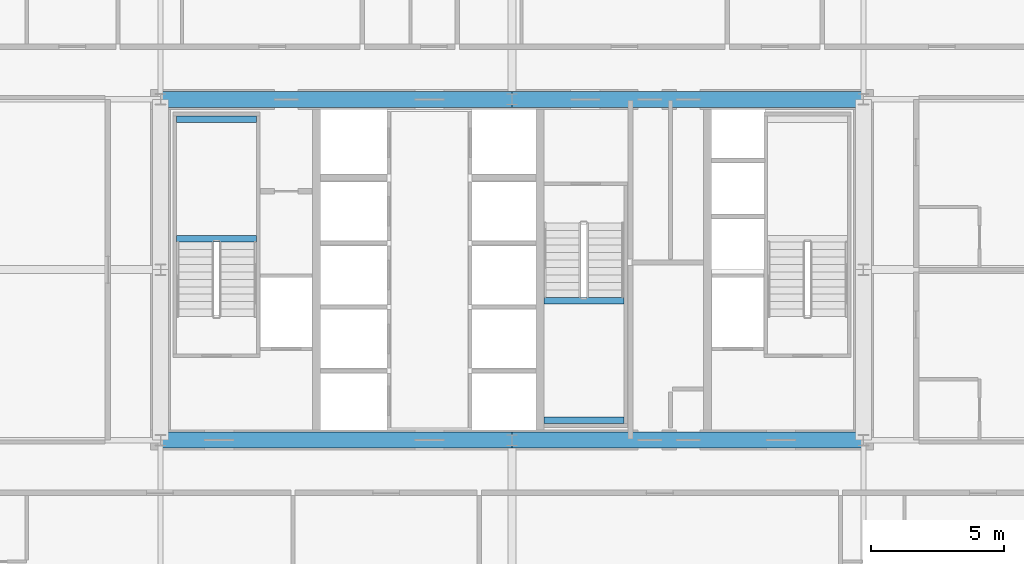
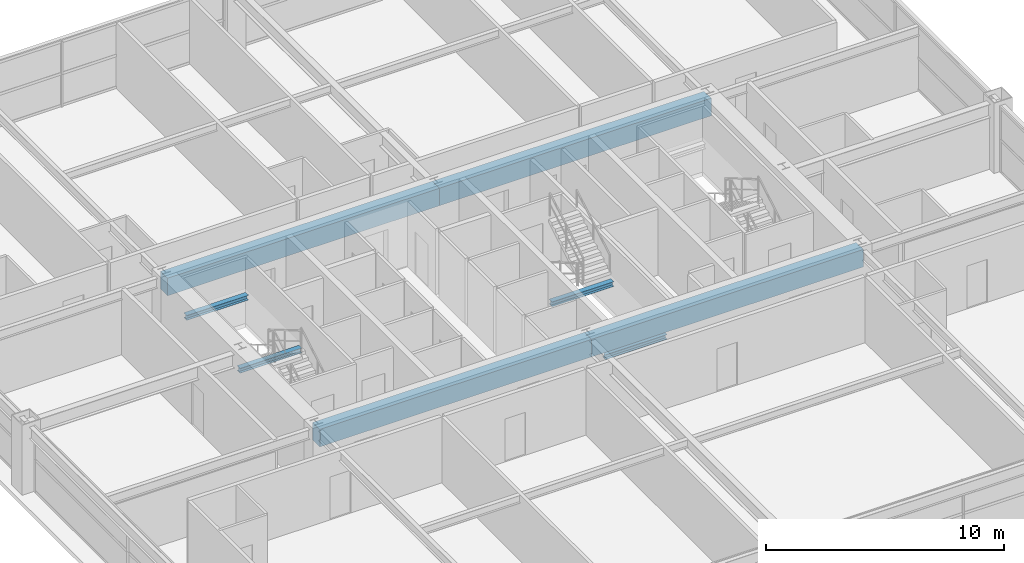
# One storey, part 12 of 38: 8 beams.
"""IFC4 building model written with IfcOpenShell, lengths in metres."""

import ifcopenshell
import ifcopenshell.guid

model = None  # the IFC model being written
_history = None  # IfcOwnerHistory: only IFC2X3 demands one
_inside = {}  # id of a spatial element -> (the spatial element, [elements in it])
_under = {}  # id of a project, library or spatial element -> (it, [spatial elements below it])
_declared = {}  # id of a project -> (the project, [libraries it declares])
_typed = {}  # id of a type object -> (the type object, [elements of that type])
_made_of = {}  # id of a material, layer set ... -> (it, [elements and type objects made of it])


def new_model(schema):
    """Start an empty IFC model of exactly this schema.

    Asked for "IFC4X3", IfcOpenShell would pick the latest addendum, in which some entities
    have other attributes; the version numbers below select the first issue.
    IFC2X3 requires an IfcOwnerHistory on every rooted entity: one is made here for all.
    """
    global model, _history
    if schema == "IFC4X3":
        model = ifcopenshell.file(schema_version=(4, 3, 0, 0))
    else:
        model = ifcopenshell.file(schema=schema)
    _inside.clear()
    _under.clear()
    _declared.clear()
    _typed.clear()
    _made_of.clear()
    _history = None
    if model.schema == "IFC2X3":
        org = make("IfcOrganization", Name="unknown")
        user = make(
            "IfcPersonAndOrganization",
            ThePerson=make("IfcPerson", FamilyName="unknown"),
            TheOrganization=org,
        )
        app = make(
            "IfcApplication",
            ApplicationDeveloper=org,
            Version="unknown",
            ApplicationFullName="unknown",
            ApplicationIdentifier="unknown",
        )
        _history = make(
            "IfcOwnerHistory",
            OwningUser=user,
            OwningApplication=app,
            ChangeAction="ADDED",
            CreationDate=0,
        )
    return model


def make(cls, **values):
    """One entity of the class cls with the attributes given. An attribute that is None is left unset."""
    return model.create_entity(
        cls, **{name: value for name, value in values.items() if value is not None}
    )


def rooted(cls, **values):
    """An entity with a GlobalId (a new one), such as an element, a storey or a relation."""
    return make(cls, GlobalId=ifcopenshell.guid.new(), OwnerHistory=_history, **values)


def si_unit(unit_type, name, prefix=None):
    """IfcSIUnit, for example si_unit("LENGTHUNIT", "METRE", prefix="MILLI")."""
    return make("IfcSIUnit", UnitType=unit_type, Prefix=prefix, Name=name)


def assignment(units):
    """IfcUnitAssignment: the units of a project."""
    return None if units is None else make("IfcUnitAssignment", Units=units)


def point(xyz):
    """IfcCartesianPoint."""
    return None if xyz is None else make("IfcCartesianPoint", Coordinates=xyz)


def direction(xyz):
    """IfcDirection."""
    return None if xyz is None else make("IfcDirection", DirectionRatios=xyz)


def frame(location, z_axis=None, x_axis=None):
    """IfcAxis2Placement3D, a coordinate frame: its origin and axes. An axis left out is left unset."""
    return make(
        "IfcAxis2Placement3D",
        Location=point(location),
        Axis=direction(z_axis),
        RefDirection=direction(x_axis),
    )


def frame_2d(location, x_axis=None):
    """IfcAxis2Placement2D, a coordinate frame in the plane: its origin and x axis."""
    return make(
        "IfcAxis2Placement2D", Location=point(location), RefDirection=direction(x_axis)
    )


def origin():
    """The frame at (0, 0, 0) with its axes left unset."""
    return frame((0.0, 0.0, 0.0))


def origin_2d():
    """The frame at (0, 0) in the plane with its x axis left unset."""
    return frame_2d((0.0, 0.0))


def place(relative_to, where):
    """IfcLocalPlacement: puts the frame where relative to a parent placement (None: the world)."""
    return make(
        "IfcLocalPlacement", PlacementRelTo=relative_to, RelativePlacement=where
    )


def context(
    kind, dimensions, precision=None, world=None, true_north=None, identifier=None
):
    """IfcGeometricRepresentationContext, for example the 3D "Model" context."""
    return make(
        "IfcGeometricRepresentationContext",
        ContextIdentifier=identifier,
        ContextType=kind,
        CoordinateSpaceDimension=dimensions,
        Precision=precision,
        WorldCoordinateSystem=world,
        TrueNorth=true_north,
    )


def subcontext(parent, identifier, kind, view, scale=None):
    """IfcGeometricRepresentationSubContext, for example "Body" below "Model"."""
    return make(
        "IfcGeometricRepresentationSubContext",
        ContextIdentifier=identifier,
        ContextType=kind,
        ParentContext=parent,
        TargetScale=scale,
        TargetView=view,
    )


def project(units=None, contexts=None):
    """IfcProject with its units and contexts."""
    return rooted(
        "IfcProject",
        Name="project",
        RepresentationContexts=contexts,
        UnitsInContext=assignment(units),
    )


def spatial(cls, under=None, at=None, **own):
    """A site, building, storey or space (cls), placed at a placement, below another one or the project."""
    s = rooted(cls, ObjectPlacement=at, **own)
    if under is not None:
        _under.setdefault(under.id(), (under, []))[1].append(s)
    return s


def profile(cls, at=None, kind="AREA", **sizes):
    """A parametric profile (cls). Its sizes go by their IFC names, for example OverallWidth=200.0."""
    return make(cls, ProfileType=kind, Position=at, **sizes)


def rectangle(**sizes):
    """IfcRectangleProfileDef."""
    return profile("IfcRectangleProfileDef", **sizes)


def i_section(**sizes):
    """IfcIShapeProfileDef."""
    return profile("IfcIShapeProfileDef", **sizes)


def extrude(swept, where, along, depth):
    """IfcExtrudedAreaSolid: the profile swept, set in the frame where, extruded along a direction by depth."""
    return make(
        "IfcExtrudedAreaSolid",
        SweptArea=swept,
        Position=where,
        ExtrudedDirection=direction(along),
        Depth=depth,
    )


def shape(context_of_items, identifier, shape_type, items):
    """IfcShapeRepresentation: the items that make up one representation, for example the "Body"."""
    return make(
        "IfcShapeRepresentation",
        ContextOfItems=context_of_items,
        RepresentationIdentifier=identifier,
        RepresentationType=shape_type,
        Items=items,
    )


def source(mapping_origin, context_of_items, identifier, shape_type, items):
    """IfcRepresentationMap: a shape defined once, which mapped items show again and again."""
    return make(
        "IfcRepresentationMap",
        MappingOrigin=mapping_origin,
        MappedRepresentation=shape(context_of_items, identifier, shape_type, items),
    )


def transform(
    local_origin,
    x_axis=None,
    y_axis=None,
    z_axis=None,
    scale=None,
    scale2=None,
    scale3=None,
    uniform=True,
):
    """IfcCartesianTransformationOperator3D, or its non-uniform kind. x_axis, y_axis, z_axis: its Axis1, 2, 3."""
    if uniform:
        return make(
            "IfcCartesianTransformationOperator3D",
            Axis1=direction(x_axis),
            Axis2=direction(y_axis),
            LocalOrigin=point(local_origin),
            Scale=scale,
            Axis3=direction(z_axis),
        )
    return make(
        "IfcCartesianTransformationOperator3DnonUniform",
        Axis1=direction(x_axis),
        Axis2=direction(y_axis),
        LocalOrigin=point(local_origin),
        Scale=scale,
        Axis3=direction(z_axis),
        Scale2=scale2,
        Scale3=scale3,
    )


def mapped(mapping_source, mapping_target):
    """IfcMappedItem: shows the shape of a source again, moved by a transform."""
    return make(
        "IfcMappedItem", MappingSource=mapping_source, MappingTarget=mapping_target
    )


def material(Name=None, Category=None):
    """IfcMaterial."""
    return make("IfcMaterial", Name=Name, Category=Category)


def material_profile(
    of_material, cross_section, Name=None, Category=None, Priority=None
):
    """IfcMaterialProfile: a cross section and its material."""
    return make(
        "IfcMaterialProfile",
        Name=Name,
        Material=of_material,
        Profile=cross_section,
        Priority=Priority,
        Category=Category,
    )


def profile_set(profiles, Name=None, composite=None):
    """IfcMaterialProfileSet."""
    return make(
        "IfcMaterialProfileSet",
        Name=Name,
        MaterialProfiles=profiles,
        CompositeProfile=composite,
    )


def made_of(thing, what):
    """Note that an element or type object is made of a material, layer set ...; save() writes the relation."""
    if what is not None:
        _made_of.setdefault(what.id(), (what, []))[1].append(thing)
    return thing


def type_object(cls, material=None, **own):
    """A type object (cls), such as IfcWallType, which elements share."""
    return made_of(rooted(cls, **own), material)


def element(
    cls,
    number,
    at=None,
    inside=None,
    cuts=None,
    type_object=None,
    material=None,
    context=None,
    identifier="Body",
    shape_type=None,
    held_by="IfcProductDefinitionShape",
    body=None,
    shapes=None,
    **own,
):
    """One element of the class cls, such as IfcWall. Its Tag is "e" and its number.

    at: its placement. inside: the storey or other place that contains it. cuts: it is an
    opening in that element (IfcRelVoidsElement). A single representation is given by context,
    identifier, shape_type and body (its items); several are given by shapes. held_by: the class
    of the entity that holds the representations. save() writes the other relations.
    """
    e = rooted(cls, Tag="e%d" % number, ObjectPlacement=at, **own)
    if body is not None:
        shapes = [shape(context, identifier, shape_type, body)]
    if shapes is not None:
        e.Representation = make(held_by, Representations=shapes)
    if inside is not None:
        _inside.setdefault(inside.id(), (inside, []))[1].append(e)
    if cuts is not None:
        rooted(
            "IfcRelVoidsElement", RelatingBuildingElement=cuts, RelatedOpeningElement=e
        )
    if type_object is not None:
        _typed.setdefault(type_object.id(), (type_object, []))[1].append(e)
    return made_of(e, material)


def aggregate(whole, parts):
    """IfcRelAggregates: a whole, such as a stair, and the parts it consists of."""
    return rooted("IfcRelAggregates", RelatingObject=whole, RelatedObjects=parts)


def save(model, path):
    """Write the relations noted so far, then the file.

    IfcRelAggregates (storeys below a building ...), IfcRelContainedInSpatialStructure (elements
    in a storey), IfcRelDefinesByType, IfcRelAssociatesMaterial and IfcRelDeclares: one each for
    every whole, place, type object, material and project.
    """
    for whole, parts in _under.values():
        aggregate(whole, parts)
    for where, things in _inside.values():
        rooted(
            "IfcRelContainedInSpatialStructure",
            RelatedElements=things,
            RelatingStructure=where,
        )
    for kind, things in _typed.values():
        rooted("IfcRelDefinesByType", RelatedObjects=things, RelatingType=kind)
    for what, things in _made_of.values():
        rooted("IfcRelAssociatesMaterial", RelatedObjects=things, RelatingMaterial=what)
    for by, libraries in _declared.values():
        rooted("IfcRelDeclares", RelatingContext=by, RelatedDefinitions=libraries)
    model.write(path)


model = new_model("IFC4")

# Units and contexts
model_context = context("Model", 3, precision=1e-05, world=origin(), true_north=direction((0.0, 1.0)))
body_context = subcontext(model_context, "Body", "Model", "MODEL_VIEW")
ifc_project = project(units=[si_unit("LENGTHUNIT", "METRE"), si_unit("AREAUNIT", "SQUARE_METRE"), si_unit("VOLUMEUNIT", "CUBIC_METRE"), si_unit("PLANEANGLEUNIT", "RADIAN"), si_unit("MASSUNIT", "GRAM", prefix="KILO"), si_unit("THERMODYNAMICTEMPERATUREUNIT", "KELVIN"), si_unit("POWERUNIT", "WATT")], contexts=[model_context])

# Site, building, storey
site_placement = place(None, origin())
site = spatial("IfcSite", under=ifc_project, at=site_placement, CompositionType="ELEMENT")
building_placement = place(site_placement, origin())
building = spatial("IfcBuilding", under=site, at=building_placement, Name="Yuzanri Waterfront Tower", CompositionType="ELEMENT")
storey_placement = place(building_placement, frame((0.0, 0.0, 119.0)))
storey = spatial("IfcBuildingStorey", under=building, at=storey_placement, Name="L31", CompositionType="ELEMENT", Elevation=119.0)

# Beams
ifc_material_1 = material(Name="Concrete C60", Category="concrete")
ifc_material_profile_1 = material_profile(ifc_material_1, rectangle(XDim=0.60009765625, YDim=0.89990234375, at=origin_2d()), Name="RC 600x900")
ifc_profile_set_1 = profile_set([ifc_material_profile_1], Name="Concrete C60")
beam_type_1 = type_object("IfcBeamType", Name="Core Coupling Lintel Concrete C60 600x900", PredefinedType="LINTEL", material=ifc_profile_set_1)
shared_shape_1 = source(origin(), body_context, "Body", "SweptSolid", [
    extrude(rectangle(XDim=0.60009765625, YDim=0.89990234375, at=origin_2d()), origin(), (0.0, 0.0, 1.0), 13.199951171875),
])
for number, where, z_axis, x_axis, name in (
    (1, (23.800048828125, 19.39990234375, 2.929931640625), (1.0, 0.0, 0.0), (0.0, 1.0, 0.0), "L31 Core Tie Beam CS1"),
    (2, (37.0, 19.39990234375, 2.929931640625), (1.0, 0.0, 0.0), (0.0, 1.0, 0.0), "L31 Core Tie Beam CS2"),
    (3, (23.800048828125, 32.199951171875, 2.929931640625), (1.0, 0.0, 0.0), (0.0, 1.0, 0.0), "L31 Core Tie Beam CN1"),
    (4, (37.0, 32.199951171875, 2.929931640625), (1.0, 0.0, 0.0), (0.0, 1.0, 0.0), "L31 Core Tie Beam CN2"),
):
    element("IfcBeam", number, at=place(storey_placement, frame(where, z_axis=z_axis, x_axis=x_axis)), inside=storey, type_object=beam_type_1, Name=name, PredefinedType="LINTEL", context=body_context, shape_type="MappedRepresentation", body=[
        mapped(shared_shape_1, transform((0.0, 0.0, 0.0), scale=1.0)),
    ])
ifc_material_2 = material(Name="Steel Q355B", Category="steel")
ifc_material_profile_2 = material_profile(ifc_material_2, i_section(OverallWidth=0.25, OverallDepth=0.25, WebThickness=0.009033203125, FlangeThickness=0.013916015625, at=origin_2d()), Name="HW 250x250x9x14")
ifc_profile_set_2 = profile_set([ifc_material_profile_2], Name="Steel Q355B")
beam_type_2 = type_object("IfcBeamType", Name="Stair Landing Support Beam Q355B HW 250x250", PredefinedType="BEAM", material=ifc_profile_set_2)
shared_shape_2 = source(origin(), body_context, "Body", "SweptSolid", [
    extrude(i_section(OverallWidth=0.25, OverallDepth=0.25, WebThickness=0.009033203125, FlangeThickness=0.013916015625, at=origin_2d()), origin(), (0.0, 0.0, 1.0), 3.0),
])
for number, where, z_axis, x_axis, name in (
    (5, (24.39990234375, 26.969970703125, 1.47509765625), (1.0, 0.0, 0.0), (0.0, 1.0, 0.0), "L31 Stair Landing Support Beam ST-01-L31-L1-1"),
    (6, (24.39990234375, 31.449951171875, 1.47509765625), (1.0, 0.0, 0.0), (0.0, 1.0, 0.0), "L31 Stair Landing Support Beam ST-01-L31-L1-2"),
    (7, (38.199951171875, 20.14990234375, 1.47509765625), (1.0, 0.0, 0.0), (0.0, 1.0, 0.0), "L31 Stair Landing Support Beam ST-03-L31-L1-1"),
    (8, (38.199951171875, 24.6298828125, 1.47509765625), (1.0, 0.0, 0.0), (0.0, 1.0, 0.0), "L31 Stair Landing Support Beam ST-03-L31-L1-2"),
):
    element("IfcBeam", number, at=place(storey_placement, frame(where, z_axis=z_axis, x_axis=x_axis)), inside=storey, type_object=beam_type_2, Name=name, PredefinedType="BEAM", context=body_context, shape_type="MappedRepresentation", body=[
        mapped(shared_shape_2, transform((0.0, 0.0, 0.0), scale=1.0)),
    ])

save(model, "model.ifc")
